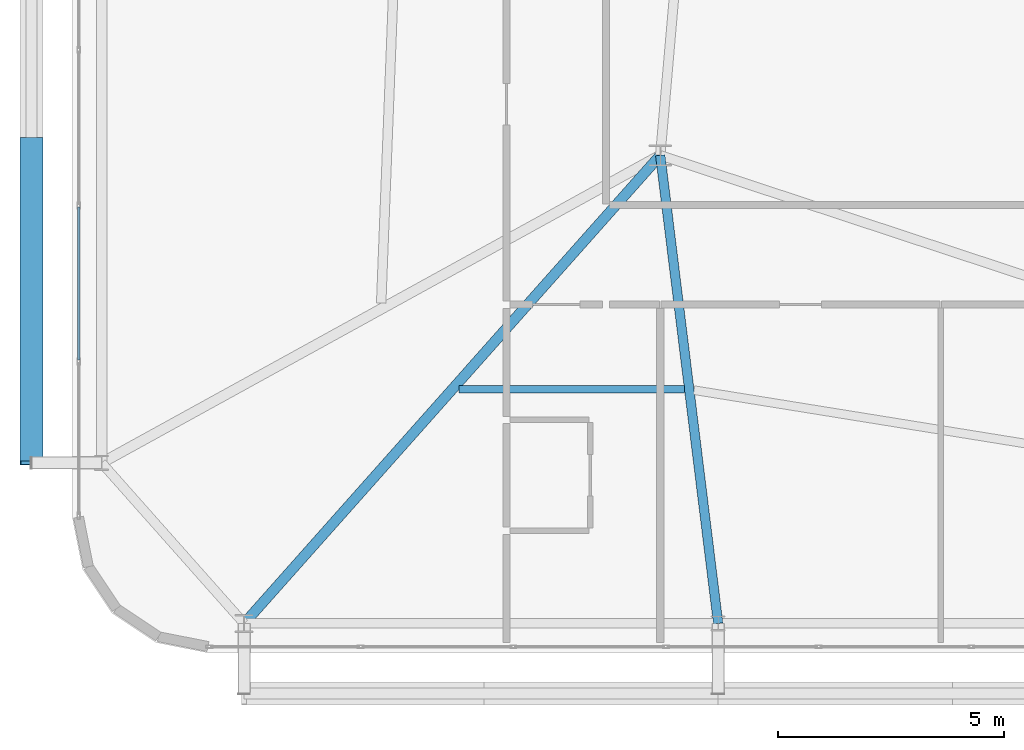
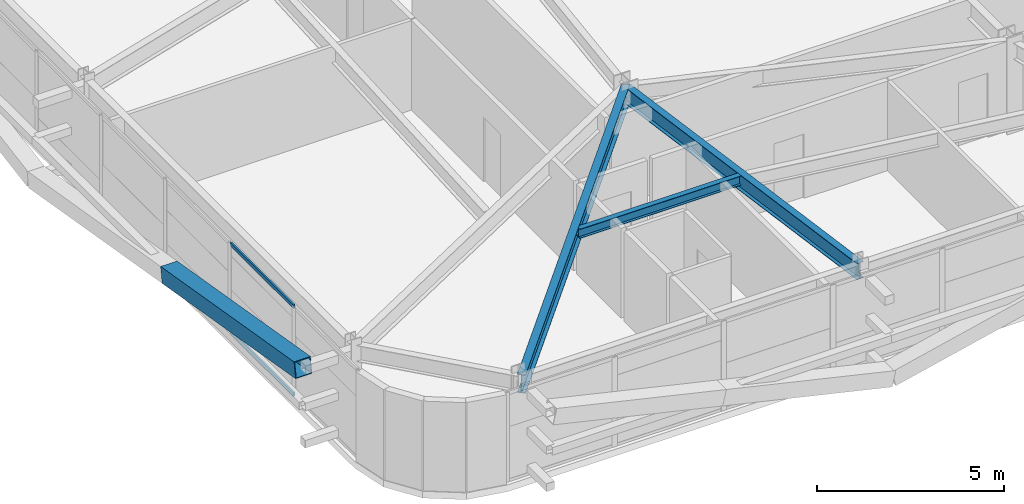
# One storey, part 7 of 58: 3 beams, 3 members, 1 element without a shape of its own.
"""IFC4 building model written with IfcOpenShell, lengths in metres."""

from ifc_helpers import new_model, si_unit, direction, frame, origin, origin_2d, place, context, subcontext, project, spatial, hollow_rectangle, i_section, extrude, source, transform, mapped, material, layer, layer_set, material_profile, profile_set, type_object, element, aggregate, save


model = new_model("IFC4")

# Units and contexts
model_context = context("Model", 3, precision=1e-05, world=origin(), true_north=direction((0.0, 1.0)))
body_context = subcontext(model_context, "Body", "Model", "MODEL_VIEW")
ifc_project = project(units=[si_unit("LENGTHUNIT", "METRE"), si_unit("AREAUNIT", "SQUARE_METRE"), si_unit("VOLUMEUNIT", "CUBIC_METRE"), si_unit("PLANEANGLEUNIT", "RADIAN"), si_unit("MASSUNIT", "GRAM", prefix="KILO")], contexts=[model_context])

# Site, building, storey
site_placement = place(None, origin())
site = spatial("IfcSite", under=ifc_project, at=site_placement, CompositionType="ELEMENT")
building_placement = place(site_placement, origin())
building = spatial("IfcBuilding", under=site, at=building_placement, Name="Taldren Reach Tower", CompositionType="ELEMENT")
storey_placement = place(building_placement, frame((0.0, 0.0, 51.449951171875)))
storey = spatial("IfcBuildingStorey", under=building, at=storey_placement, Name="L15", CompositionType="ELEMENT", Elevation=51.449951171875)

# Beams
ifc_material_1 = material(Name="Steel Gr 350 (350PLUS)", Category="steel")
ifc_material_profile_1 = material_profile(ifc_material_1, i_section(OverallWidth=0.22802734375, OverallDepth=0.60205078125, WebThickness=0.010498046875, FlangeThickness=0.014892578125, at=origin_2d()), Name="610UB101")
ifc_profile_set_1 = profile_set([ifc_material_profile_1], Name="Steel Gr 350 (350PLUS)")
beam_type_1 = type_object("IfcBeamType", Name="BM-UB610B", PredefinedType="BEAM", material=ifc_profile_set_1)
shared_shape_1 = source(origin(), body_context, "Body", "SweptSolid", [
    extrude(i_section(OverallWidth=0.22802734375, OverallDepth=0.60205078125, WebThickness=0.010498046875, FlangeThickness=0.014892578125, at=origin_2d()), origin(), (0.0, 0.0, 1.0), 13.847900390625),
])
beam_1_placement = place(storey_placement, frame((18.0, 12.5, 2.629150390625), z_axis=(-0.664358367375, -0.747414182164, 0.0), x_axis=(0.747414182164, -0.664358367375, 0.0)))
element("IfcBeam", 1, at=beam_1_placement, inside=storey, type_object=beam_type_1, Name="Primary floor girder B1-S1 L15", PredefinedType="BEAM", context=body_context, shape_type="MappedRepresentation", body=[
    mapped(shared_shape_1, transform((0.0, 0.0, 0.0), scale=1.0)),
])
ifc_material_profile_2 = material_profile(ifc_material_1, i_section(OverallWidth=0.208984375, OverallDepth=0.532958984375, WebThickness=0.01025390625, FlangeThickness=0.015625, at=origin_2d()), Name="530UB92.4")
ifc_profile_set_2 = profile_set([ifc_material_profile_2], Name="Steel Gr 350 (350PLUS)")
beam_type_2 = type_object("IfcBeamType", Name="BM-UB530A", PredefinedType="BEAM", material=ifc_profile_set_2)
shared_shape_2 = source(origin(), body_context, "Body", "SweptSolid", [
    extrude(i_section(OverallWidth=0.208984375, OverallDepth=0.532958984375, WebThickness=0.01025390625, FlangeThickness=0.015625, at=origin_2d()), origin(), (0.0, 0.0, 1.0), 10.428955078125),
])
beam_2_placement = place(storey_placement, frame((18.0, 12.5, 2.66357421875), z_axis=(0.122738080664, -0.992439098159, 0.0), x_axis=(0.992439098159, 0.122738080664, 0.0)))
element("IfcBeam", 2, at=beam_2_placement, inside=storey, type_object=beam_type_2, Name="Primary floor girder B1-S2 L15", PredefinedType="BEAM", context=body_context, shape_type="MappedRepresentation", body=[
    mapped(shared_shape_2, transform((0.0, 0.0, 0.0), scale=1.0)),
])
ifc_material_2 = material(Name="Steel Gr 300 (300PLUS, 300 MPa)", Category="steel")
ifc_material_profile_3 = material_profile(ifc_material_2, i_section(OverallWidth=0.166015625, OverallDepth=0.306884765625, WebThickness=0.006591796875, FlangeThickness=0.01171875, at=origin_2d()), Name="310UB46.2")
ifc_profile_set_3 = profile_set([ifc_material_profile_3], Name="Steel Gr 300 (300PLUS, 300 MPa)")
beam_type_3 = type_object("IfcBeamType", Name="JS-UB310", PredefinedType="JOIST", material=ifc_profile_set_3)
shared_shape_3 = source(origin(), body_context, "Body", "SweptSolid", [
    extrude(i_section(OverallWidth=0.166015625, OverallDepth=0.306884765625, WebThickness=0.006591796875, FlangeThickness=0.01171875, at=origin_2d()), origin(), (0.0, 0.0, 1.0), 4.982177734375),
])
beam_3_placement = place(storey_placement, frame((13.552490234375, 7.324951171875, 2.776611328125), z_axis=(1.0, 0.0, 0.0), x_axis=(0.0, 1.0, 0.0)))
element("IfcBeam", 3, at=beam_3_placement, inside=storey, type_object=beam_type_3, Name="Secondary floor joist B1 J1 L15", PredefinedType="JOIST", context=body_context, shape_type="MappedRepresentation", body=[
    mapped(shared_shape_3, transform((0.0, 0.0, 0.0), scale=1.0)),
])

# Member
ifc_material_3 = material(Name="Steel Gr 450 (C450L0)", Category="steel")
ifc_material_profile_4 = material_profile(ifc_material_3, hollow_rectangle(XDim=0.510009765625, YDim=0.510009765625, WallThickness=0.02001953125, at=origin_2d()), Name="510x510x20.0SHS")
ifc_profile_set_4 = profile_set([ifc_material_profile_4], Name="Steel Gr 450 (C450L0)")
member_type_1 = type_object("IfcMemberType", Name="MB-EXO508", PredefinedType="BRACE", material=ifc_profile_set_4)
shared_shape_4 = source(origin(), body_context, "Body", "SweptSolid", [
    extrude(hollow_rectangle(XDim=0.510009765625, YDim=0.510009765625, WallThickness=0.02001953125, at=origin_2d()), origin(), (0.0, 0.0, 1.0), 7.252685546875),
])
member_1_placement = place(storey_placement, frame((4.10009765625, 12.85009765625, 1.43505859375), z_axis=(0.0, -0.985865800628, 0.167536930711), x_axis=(1.0, 0.0, 0.0)))
element("IfcMember", 4, at=member_1_placement, inside=storey, type_object=member_type_1, Name="Exoskeleton Diagrid Brace B1-W1 L15", PredefinedType="BRACE", context=body_context, shape_type="MappedRepresentation", body=[
    mapped(shared_shape_4, transform((0.0, 0.0, 0.0), scale=1.0)),
])

# Curtain wall, members
ifc_material_4 = material(Name="Aluminium and Low-E Glass Unitised System", Category="aluminium")
ifc_layer = layer(ifc_material_4, 0.159912109375)
ifc_layer_set = layer_set([ifc_layer], Name="Aluminium and Low-E Glass Unitised System")
curtain_wall_type = type_object("IfcCurtainWallType", Name="CW-SYS-2", PredefinedType="NOTDEFINED", material=ifc_layer_set)
curtain_wall_placement = place(storey_placement, origin())
curtain_wall = element("IfcCurtainWall", 5, at=curtain_wall_placement, inside=storey, type_object=curtain_wall_type, Name="Unitised curtain wall CW-L15-W", PredefinedType="NOTDEFINED")
ifc_material_5 = material(Name="Anodised Aluminium 6063-T6", Category="aluminium")
ifc_material_profile_5 = material_profile(ifc_material_5, hollow_rectangle(XDim=0.054931640625, YDim=0.1201171875, WallThickness=0.0029296875, at=origin_2d()), Name="ALU-120x55x3RHS")
ifc_profile_set_5 = profile_set([ifc_material_profile_5], Name="Anodised Aluminium 6063-T6")
member_type_2 = type_object("IfcMemberType", Name="CW-TRN-135", PredefinedType="USERDEFINED", material=ifc_profile_set_5)
shared_shape_5 = source(origin(), body_context, "Body", "SweptSolid", [
    extrude(hollow_rectangle(XDim=0.054931640625, YDim=0.1201171875, WallThickness=0.0029296875, at=origin_2d()), origin(), (0.0, 0.0, 1.0), 3.37939453125),
])
member_2_placement = place(storey_placement, frame((5.139892578125, 11.3564453125, 0.027587890625), z_axis=(0.0, -1.0, 0.0), x_axis=(1.0, 0.0, 0.0)))
member_2 = element("IfcMember", 6, at=member_2_placement, type_object=member_type_2, Name="CW-2 transom 8.1", ObjectType="TRANSOM", PredefinedType="USERDEFINED", context=body_context, shape_type="MappedRepresentation", body=[
    mapped(shared_shape_5, transform((0.0, 0.0, 0.0), scale=1.0)),
])
member_3_placement = place(storey_placement, frame((5.139892578125, 11.3564453125, 2.902587890625), z_axis=(0.0, -1.0, 0.0), x_axis=(1.0, 0.0, 0.0)))
member_3 = element("IfcMember", 7, at=member_3_placement, type_object=member_type_2, Name="CW-2 transom 8.2", ObjectType="TRANSOM", PredefinedType="USERDEFINED", context=body_context, shape_type="MappedRepresentation", body=[
    mapped(shared_shape_5, transform((0.0, 0.0, 0.0), scale=1.0)),
])
aggregate(curtain_wall, [member_2, member_3])

save(model, "model.ifc")
